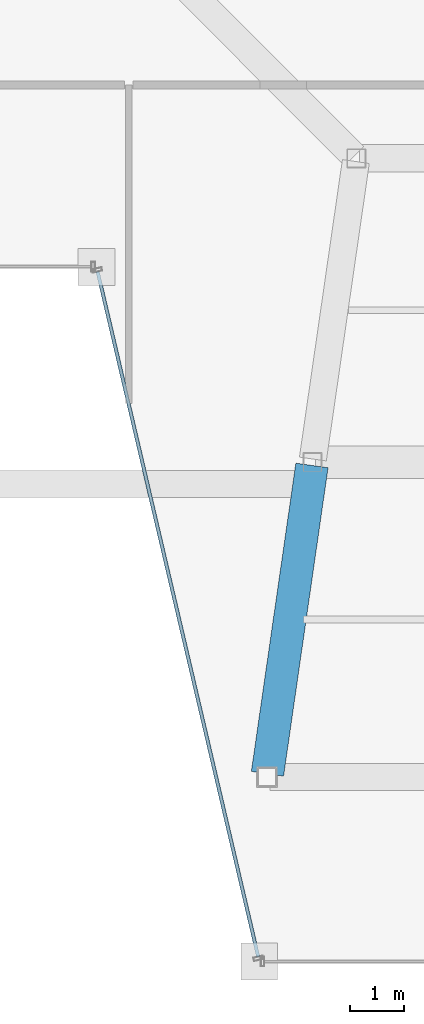
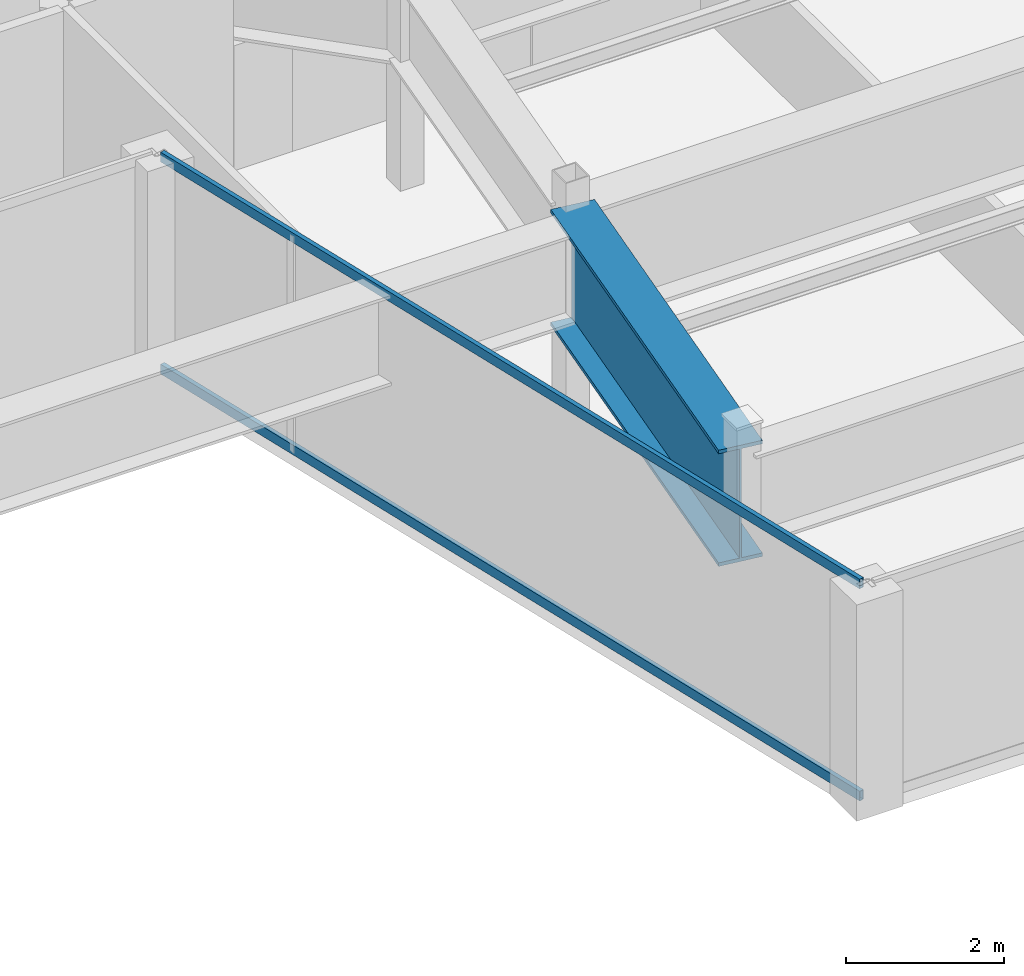
# One storey, part 11 of 30: 2 members, 1 beam, 1 element without a shape of its own.
"""IFC4 building model written with IfcOpenShell, lengths in metres."""

from ifc_helpers import new_model, si_unit, direction, frame, origin, origin_2d, place, context, subcontext, project, spatial, hollow_rectangle, i_section, extrude, material, material_profile, profile_set, type_object, element, aggregate, save


model = new_model("IFC4")

# Units and contexts
model_context = context("Model", 3, precision=1e-05, world=origin(), true_north=direction((0.0, 1.0)))
body_context = subcontext(model_context, "Body", "Model", "MODEL_VIEW")
ifc_project = project(units=[si_unit("LENGTHUNIT", "METRE"), si_unit("AREAUNIT", "SQUARE_METRE"), si_unit("VOLUMEUNIT", "CUBIC_METRE"), si_unit("PLANEANGLEUNIT", "RADIAN"), si_unit("MASSUNIT", "GRAM", prefix="KILO")], contexts=[model_context])

# Site, building, storey
site_placement = place(None, origin())
site = spatial("IfcSite", under=ifc_project, at=site_placement, CompositionType="ELEMENT")
building_placement = place(site_placement, origin())
building = spatial("IfcBuilding", under=site, at=building_placement, Name="Saevonmaru Cultural Tower", CompositionType="ELEMENT")
storey_placement = place(building_placement, frame((0.0, 0.0, 272.39990234375)))
storey = spatial("IfcBuildingStorey", under=building, at=storey_placement, Name="L64", CompositionType="ELEMENT", Elevation=272.39990234375)

# Beam
ifc_material_1 = material(Name="Steel HSA600 (600 MPa)", Category="steel")
ifc_material_profile_1 = material_profile(ifc_material_1, i_section(OverallWidth=0.60009765625, OverallDepth=1.800048828125, WebThickness=0.028076171875, FlangeThickness=0.054931640625, at=origin_2d()), Name="PG-1800x600x28x55")
ifc_profile_set_1 = profile_set([ifc_material_profile_1], Name="Steel HSA600 (600 MPa)")
beam_type = type_object("IfcBeamType", Name="BM-TG-PG1800", PredefinedType="BEAM", material=ifc_profile_set_1)
beam_placement = place(storey_placement, frame((39.5546875, 26.259521484375, 2.4501953125), z_axis=(0.142826510921, 0.989747739466, 0.0), x_axis=(-0.989747739466, 0.142826510921, 0.0)))
element("IfcBeam", 1, at=beam_placement, inside=storey, type_object=beam_type, Name="L64 East Atrium Girder 1", PredefinedType="BEAM", context=body_context, shape_type="SweptSolid", body=[
    extrude(i_section(OverallWidth=0.60009765625, OverallDepth=1.800048828125, WebThickness=0.028076171875, FlangeThickness=0.054931640625, at=origin_2d()), origin(), (0.0, 0.0, 1.0), 5.739990234375),
])

# Curtain wall, members
ifc_material_2 = material(Name="Satin Bronze Anodised Aluminium", Category="aluminium")
curtain_wall_type = type_object("IfcCurtainWallType", Name="CW-TYP-B", PredefinedType="NOTDEFINED", material=ifc_material_2)
curtain_wall_placement = place(storey_placement, origin())
curtain_wall = element("IfcCurtainWall", 2, at=curtain_wall_placement, inside=storey, type_object=curtain_wall_type, Name="L64 Unitised Curtain Wall E5", PredefinedType="NOTDEFINED")
ifc_material_profile_2 = material_profile(ifc_material_2, hollow_rectangle(XDim=0.06494140625, YDim=0.14990234375, WallThickness=0.00390625, at=origin_2d()), Name="ALU-TRAN-150x65x4")
ifc_profile_set_2 = profile_set([ifc_material_profile_2], Name="Satin Bronze Anodised Aluminium")
member_type = type_object("IfcMemberType", Name="TR-CW-150x65", PredefinedType="USERDEFINED", material=ifc_profile_set_2)
member_1_placement = place(storey_placement, frame((36.425537109375, 35.510009765625, 0.03271484375), z_axis=(0.228189927903, -0.973616637493, 0.0), x_axis=(0.973616637493, 0.228189927903, 0.0)))
member_1 = element("IfcMember", 3, at=member_1_placement, type_object=member_type, Name="CW-TW-L64-E5 transom 1.1", ObjectType="TRANSOM", PredefinedType="USERDEFINED", context=body_context, shape_type="SweptSolid", body=[
    extrude(hollow_rectangle(XDim=0.06494140625, YDim=0.14990234375, WallThickness=0.00390625, at=origin_2d()), origin(), (0.0, 0.0, 1.0), 12.9619140625),
])
member_2_placement = place(storey_placement, frame((36.425537109375, 35.510009765625, 3.317626953125), z_axis=(0.228189927903, -0.973616637493, 0.0), x_axis=(0.973616637493, 0.228189927903, 0.0)))
member_2 = element("IfcMember", 4, at=member_2_placement, type_object=member_type, Name="CW-TW-L64-E5 transom 1.2", ObjectType="TRANSOM", PredefinedType="USERDEFINED", context=body_context, shape_type="SweptSolid", body=[
    extrude(hollow_rectangle(XDim=0.06494140625, YDim=0.14990234375, WallThickness=0.00390625, at=origin_2d()), origin(), (0.0, 0.0, 1.0), 12.9619140625),
])
aggregate(curtain_wall, [member_1, member_2])

save(model, "model.ifc")
